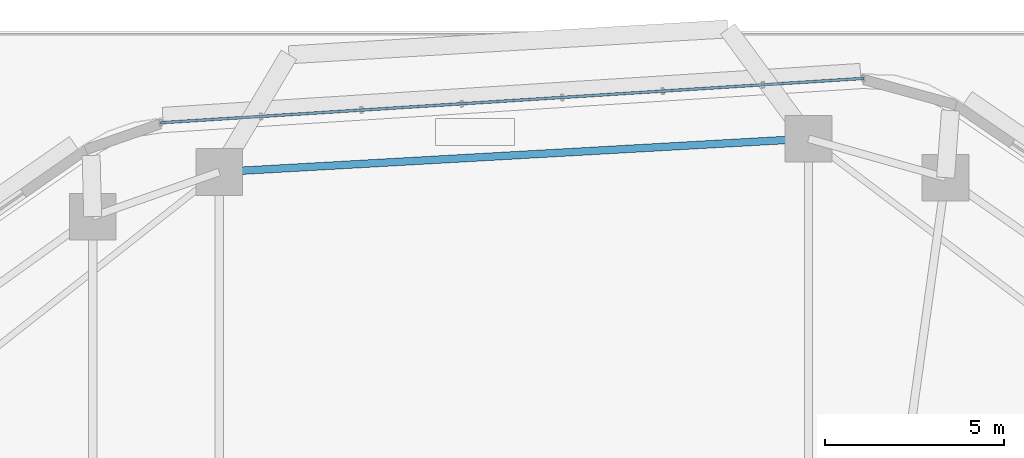
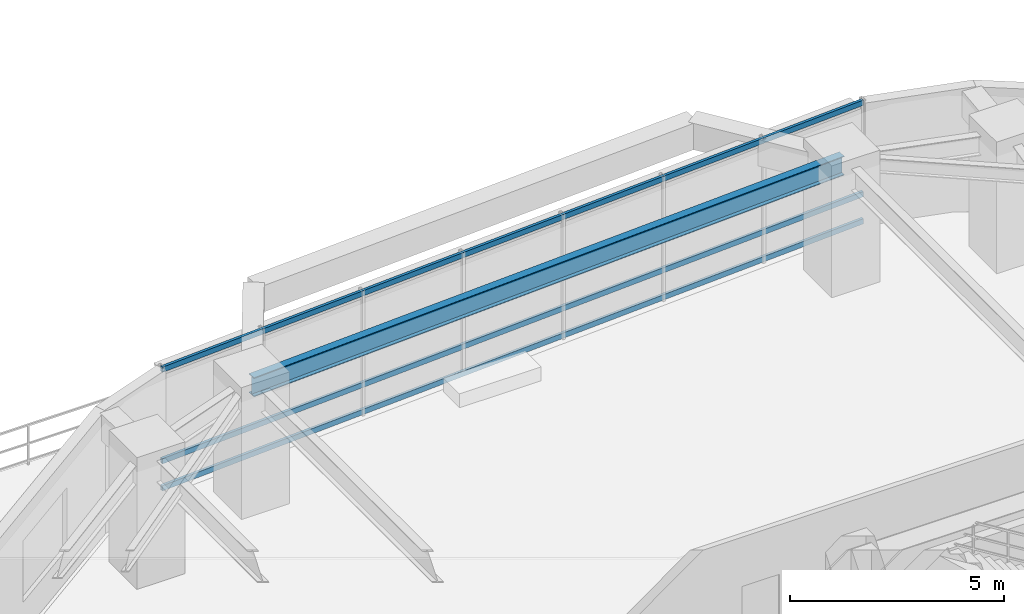
# One storey, part 11 of 20: 3 members, 1 beam, 1 element without a shape of its own.
"""IFC4 building model written with IfcOpenShell, lengths in metres."""

from ifc_helpers import new_model, si_unit, direction, frame, origin, origin_2d, place, context, subcontext, project, spatial, hollow_rectangle, i_section, extrude, material, material_profile, profile_set, type_object, element, aggregate, save


model = new_model("IFC4")

# Units and contexts
model_context = context("Model", 3, precision=1e-05, world=origin(), true_north=direction((0.0, 1.0)))
body_context = subcontext(model_context, "Body", "Model", "MODEL_VIEW")
ifc_project = project(units=[si_unit("LENGTHUNIT", "METRE"), si_unit("AREAUNIT", "SQUARE_METRE"), si_unit("VOLUMEUNIT", "CUBIC_METRE"), si_unit("PLANEANGLEUNIT", "RADIAN"), si_unit("MASSUNIT", "GRAM", prefix="KILO")], contexts=[model_context])

# Site, building, storey
site_placement = place(None, origin())
site = spatial("IfcSite", under=ifc_project, at=site_placement, CompositionType="ELEMENT")
building_placement = place(site_placement, origin())
building = spatial("IfcBuilding", under=site, at=building_placement, Name="Zulverin Broadcast Headquarters", CompositionType="ELEMENT")
storey_placement = place(building_placement, frame((0.0, 0.0, 25.0)))
storey = spatial("IfcBuildingStorey", under=building, at=storey_placement, Name="L05", CompositionType="ELEMENT", Elevation=25.0)

# Beam
ifc_material_1 = material(Name="Structural steel S355JR", Category="steel")
ifc_material_profile_1 = material_profile(ifc_material_1, i_section(OverallWidth=0.2119140625, OverallDepth=0.54443359375, WebThickness=0.0126953125, FlangeThickness=0.021240234375, at=origin_2d()), Name="Structural steel S355JR", Category="steel")
ifc_profile_set_1 = profile_set([ifc_material_profile_1], Name="Structural steel S355JR")
beam_type = type_object("IfcBeamType", Name="BM-UB-533", PredefinedType="SPANDREL", material=ifc_profile_set_1)
beam_placement = place(storey_placement, frame((46.30224609375, 47.4091796875, 3.252685546875), z_axis=(-0.998411812904, -0.056336949274, 0.0), x_axis=(0.056336949274, -0.998411812904, 0.0)))
element("IfcBeam", 1, at=beam_placement, inside=storey, type_object=beam_type, Name="L05 Perimeter Spandrel Beam SP-09", PredefinedType="SPANDREL", context=body_context, shape_type="SweptSolid", body=[
    extrude(i_section(OverallWidth=0.2119140625, OverallDepth=0.54443359375, WebThickness=0.0126953125, FlangeThickness=0.021240234375, at=origin_2d()), origin(), (0.0, 0.0, 1.0), 16.45458984375),
])

# Curtain wall, members
ifc_material_2 = material(Name="Low-zone ribbon unitised curtain wall", Category="aluminium")
curtain_wall_type = type_object("IfcCurtainWallType", Name="CW-TWR-LOW", PredefinedType="USERDEFINED", material=ifc_material_2)
curtain_wall_placement = place(storey_placement, origin())
curtain_wall = element("IfcCurtainWall", 2, at=curtain_wall_placement, inside=storey, type_object=curtain_wall_type, Name="L05 Unitised Curtain Wall CW-L05-E5", ObjectType="UNITISED CURTAIN WALL", PredefinedType="USERDEFINED")
ifc_material_3 = material(Name="Anodized pale-metal aluminium alloy 6063-T6", Category="aluminium")
ifc_material_profile_2 = material_profile(ifc_material_3, hollow_rectangle(XDim=0.074951171875, YDim=0.14990234375, WallThickness=0.0048828125, at=origin_2d()), Name="Anodized pale-metal aluminium alloy 6063-T6", Category="aluminium")
ifc_profile_set_2 = profile_set([ifc_material_profile_2], Name="Anodized pale-metal aluminium alloy 6063-T6")
member_type = type_object("IfcMemberType", Name="CW-TRN-150", PredefinedType="USERDEFINED", material=ifc_profile_set_2)
member_1_placement = place(storey_placement, frame((47.83056640625, 49.08935546875, 0.074951171875), z_axis=(-0.998017725054, -0.062933460723, 0.0), x_axis=(0.062933460723, -0.998017725054, 0.0)))
member_1 = element("IfcMember", 3, at=member_1_placement, type_object=member_type, Name="CW-L05-E5 Transom 0", ObjectType="TRANSOM", PredefinedType="USERDEFINED", context=body_context, shape_type="SweptSolid", body=[
    extrude(hollow_rectangle(XDim=0.074951171875, YDim=0.14990234375, WallThickness=0.0048828125, at=origin_2d()), origin(), (0.0, 0.0, 1.0), 19.62939453125),
])
member_2_placement = place(storey_placement, frame((47.83056640625, 49.08935546875, 0.845947265625), z_axis=(-0.998017725054, -0.062933460723, 0.0), x_axis=(0.062933460723, -0.998017725054, 0.0)))
member_2 = element("IfcMember", 4, at=member_2_placement, type_object=member_type, Name="CW-L05-E5 Transom 1", ObjectType="TRANSOM", PredefinedType="USERDEFINED", context=body_context, shape_type="SweptSolid", body=[
    extrude(hollow_rectangle(XDim=0.074951171875, YDim=0.14990234375, WallThickness=0.0048828125, at=origin_2d()), origin(), (0.0, 0.0, 1.0), 19.62939453125),
])
member_3_placement = place(storey_placement, frame((47.83056640625, 49.08935546875, 3.449951171875), z_axis=(-0.998017725054, -0.062933460723, 0.0), x_axis=(0.062933460723, -0.998017725054, 0.0)))
member_3 = element("IfcMember", 5, at=member_3_placement, type_object=member_type, Name="CW-L05-E5 Transom 2", ObjectType="TRANSOM", PredefinedType="USERDEFINED", context=body_context, shape_type="SweptSolid", body=[
    extrude(hollow_rectangle(XDim=0.074951171875, YDim=0.14990234375, WallThickness=0.0048828125, at=origin_2d()), origin(), (0.0, 0.0, 1.0), 19.62939453125),
])
aggregate(curtain_wall, [member_1, member_2, member_3])

save(model, "model.ifc")
